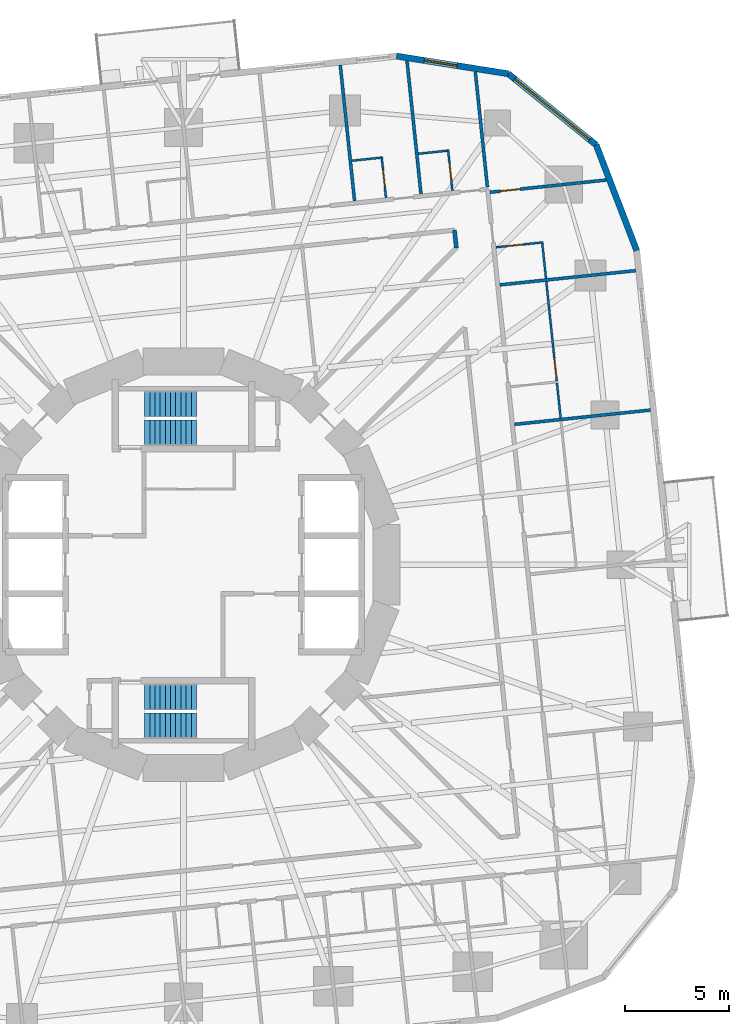
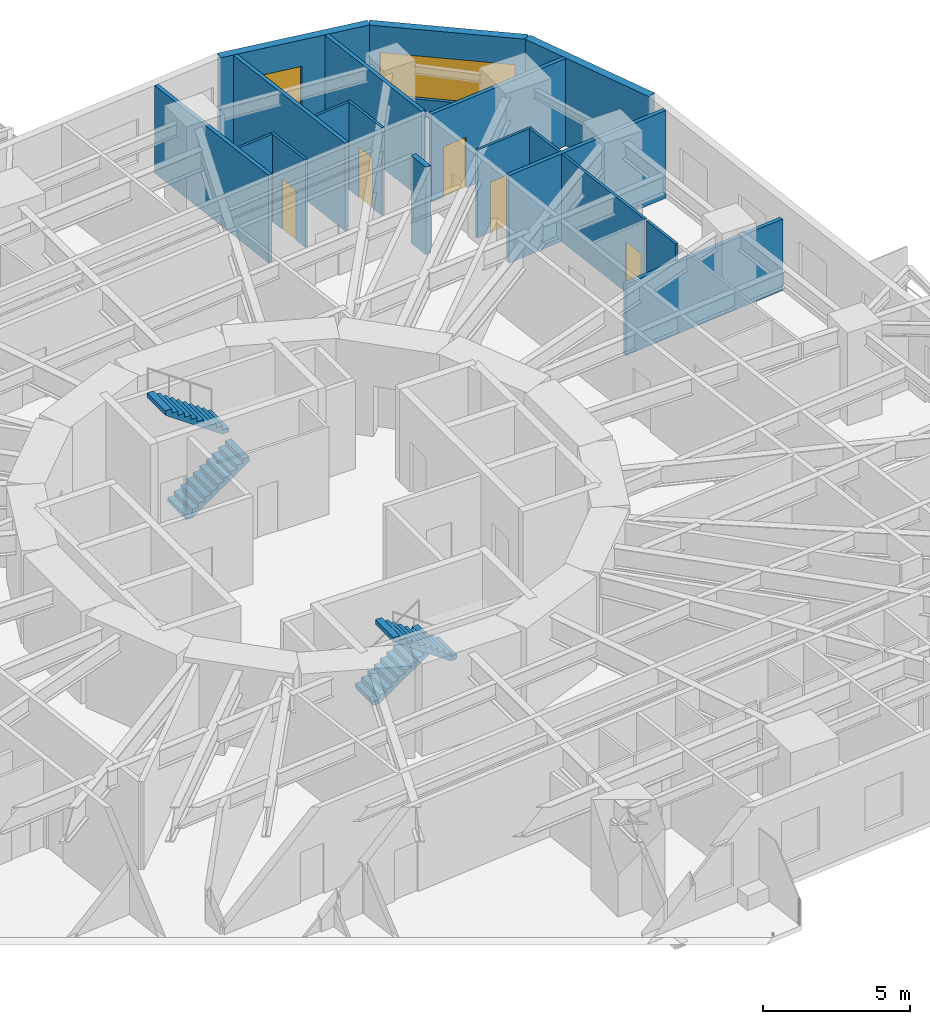
# One storey, part 11 of 13: 18 walls, 5 doors, 4 stair flights, 2 windows, 7 openings, 2 elements without a shape of their own.
"""IFC4 building model written with IfcOpenShell, lengths in metres."""

from ifc_helpers import new_model, si_unit, direction, frame, frame_2d, origin, place, context, subcontext, project, spatial, polyline, rectangle, outline, extrude, material, layer, layer_set, type_object, element, fill, aggregate, save


model = new_model("IFC4")

# Units and contexts
model_context = context("Model", 3, precision=1e-05, world=origin(), true_north=direction((0.0, 1.0)))
body_context = subcontext(model_context, "Body", "Model", "MODEL_VIEW")
ifc_project = project(units=[si_unit("LENGTHUNIT", "METRE"), si_unit("AREAUNIT", "SQUARE_METRE"), si_unit("VOLUMEUNIT", "CUBIC_METRE"), si_unit("PLANEANGLEUNIT", "RADIAN"), si_unit("MASSUNIT", "GRAM", prefix="KILO")], contexts=[model_context])

# Site, building, storey
site_placement = place(None, origin())
site = spatial("IfcSite", under=ifc_project, at=site_placement, CompositionType="ELEMENT")
building_placement = place(site_placement, origin())
building = spatial("IfcBuilding", under=site, at=building_placement, Name="Nakasero Lantern House", CompositionType="ELEMENT")
storey_placement = place(building_placement, frame((0.0, 0.0, 83.60009765625)))
storey = spatial("IfcBuildingStorey", under=building, at=storey_placement, Name="L20", CompositionType="ELEMENT", Elevation=83.60009765625)

# Walls
ifc_material_1 = material(Name="Blockwork", Category="masonry")
ifc_layer_1 = layer(ifc_material_1, 0.199951171875)
ifc_layer_set_1 = layer_set([ifc_layer_1], Name="Corridor wall 200")
wall_type_1 = type_object("IfcWallType", Name="Corridor wall 200", PredefinedType="PARTITIONING", material=ifc_layer_set_1)
wall_1_placement = place(storey_placement, frame((13.0830078125, 16.156005859375, 0.0), z_axis=(0.0, 0.0, 1.0), x_axis=(0.104303245505, -0.994545540927, 0.0)))
element("IfcWall", 1, at=wall_1_placement, inside=storey, type_object=wall_type_1, Name="Corridor wall L20 IW1-0R0", PredefinedType="PARTITIONING", context=body_context, shape_type="SweptSolid", body=[
    extrude(rectangle(XDim=0.865966796875, YDim=0.199951171875, at=frame_2d((0.43310546875, 0.0))), origin(), (0.0, 0.0, 1.0), 3.64990234375),
])
ifc_material_2 = material(Name="Blockwork", Category="masonry")
ifc_layer_2 = layer(ifc_material_2, 0.10009765625)
ifc_layer_set_2 = layer_set([ifc_layer_2], Name="En-suite wall 100")
wall_type_2 = type_object("IfcWallType", Name="En-suite wall 100", PredefinedType="PARTITIONING", material=ifc_layer_set_2)
wall_2_placement = place(storey_placement, frame((18.208984375, 7.087158203125, 0.0), z_axis=(0.0, 0.0, 1.0), x_axis=(-0.104550220202, 0.994519608382, 0.0)))
element("IfcWall", 2, at=wall_2_placement, inside=storey, type_object=wall_type_2, Name="En-suite wall L20 EE0-06", PredefinedType="PARTITIONING", context=body_context, shape_type="SweptSolid", body=[
    extrude(rectangle(XDim=1.699951171875, YDim=0.10009765625, at=frame_2d((0.85009765625, 0.0))), origin(), (0.0, 0.0, 1.0), 3.64990234375),
])

# Wall, opening, door
wall_3_placement = place(storey_placement, frame((15.08056640625, 15.326416015625, 0.0), z_axis=(0.0, 0.0, 1.0), x_axis=(0.994518822602, 0.104557694553, 0.0)))
wall_3 = element("IfcWall", 3, at=wall_3_placement, inside=storey, type_object=wall_type_2, Name="En-suite wall L20 ES0-08", PredefinedType="PARTITIONING", context=body_context, shape_type="SweptSolid", body=[
    extrude(rectangle(XDim=2.300048828125, YDim=0.10009765625, at=frame_2d((1.14990234375, 0.0))), origin(), (0.0, 0.0, 1.0), 3.64990234375),
])
opening_1_placement = place(wall_3_placement, frame((0.550048828125, 0.0, 0.0)))
opening_1 = element("IfcOpeningElement", 4, at=opening_1_placement, cuts=wall_3, Name="Opening D02", PredefinedType="OPENING", context=body_context, shape_type="SweptSolid", body=[
    extrude(rectangle(XDim=0.800048828125, YDim=2.10009765625, at=frame_2d((0.39990234375, 1.050048828125))), frame((0.0, 0.070068359375, 0.0), z_axis=(0.0, -1.0, 0.0), x_axis=(1.0, 0.0, 0.0)), (0.0, 0.0, 1.0), 0.14013671875),
])
ifc_material_3 = material(Name="Timber C24", Category="wood")
door_type_1 = type_object("IfcDoorType", Name="En-suite door 800", OperationType="SINGLE_SWING_RIGHT", PredefinedType="DOOR", material=ifc_material_3)
door_1_placement = place(opening_1_placement, origin())
door_1 = element("IfcDoor", 5, at=door_1_placement, inside=storey, type_object=door_type_1, Name="Door L20 DE0-08", OperationType="SINGLE_SWING_LEFT", OverallHeight=2.10009765625, OverallWidth=0.800048828125, PredefinedType="DOOR", context=body_context, shape_type="SweptSolid", body=[
    extrude(rectangle(XDim=0.800048828125, YDim=2.10009765625, at=frame_2d((0.39990234375, 1.050048828125))), frame((0.0, 0.02490234375, 0.0), z_axis=(0.0, -1.0, 0.0), x_axis=(1.0, 0.0, 0.0)), (0.0, 0.0, 1.0), 0.050048828125),
])
fill(opening_1, door_1)

# Wall
wall_4_placement = place(storey_placement, frame((17.501220703125, 13.8212890625, 0.0), z_axis=(0.0, 0.0, 1.0), x_axis=(-0.104550220202, 0.994519608382, 0.0)))
element("IfcWall", 6, at=wall_4_placement, inside=storey, type_object=wall_type_2, Name="En-suite wall L20 EE0-08", PredefinedType="PARTITIONING", context=body_context, shape_type="SweptSolid", body=[
    extrude(rectangle(XDim=1.699951171875, YDim=0.10009765625, at=frame_2d((0.85009765625, 0.0))), origin(), (0.0, 0.0, 1.0), 3.64990234375),
])

# Wall, opening, door
wall_5_placement = place(storey_placement, frame((12.9833984375, 18.05615234375, 0.0), z_axis=(0.0, 0.0, 1.0), x_axis=(-0.104494148666, 0.99452550138, 0.0)))
wall_5 = element("IfcWall", 7, at=wall_5_placement, inside=storey, type_object=wall_type_2, Name="En-suite wall L20 ES1-00", PredefinedType="PARTITIONING", context=body_context, shape_type="SweptSolid", body=[
    extrude(rectangle(XDim=2.0, YDim=0.10009765625, at=frame_2d((1.0, 0.0))), origin(), (0.0, 0.0, 1.0), 3.64990234375),
])
opening_2_placement = place(wall_5_placement, frame((0.550048828125, 0.0, 0.0)))
opening_2 = element("IfcOpeningElement", 8, at=opening_2_placement, cuts=wall_5, Name="Opening D02", PredefinedType="OPENING", context=body_context, shape_type="SweptSolid", body=[
    extrude(rectangle(XDim=0.800048828125, YDim=2.10009765625, at=frame_2d((0.39990234375, 1.050048828125))), frame((0.0, 0.070068359375, 0.0), z_axis=(0.0, -1.0, 0.0), x_axis=(1.0, 0.0, 0.0)), (0.0, 0.0, 1.0), 0.14013671875),
])
door_2_placement = place(opening_2_placement, origin())
door_2 = element("IfcDoor", 9, at=door_2_placement, inside=storey, type_object=door_type_1, Name="Door L20 DE1-00", OperationType="SINGLE_SWING_LEFT", OverallHeight=2.10009765625, OverallWidth=0.800048828125, PredefinedType="DOOR", context=body_context, shape_type="SweptSolid", body=[
    extrude(rectangle(XDim=0.800048828125, YDim=2.10009765625, at=frame_2d((0.39990234375, 1.050048828125))), frame((0.0, 0.02490234375, 0.0), z_axis=(0.0, -1.0, 0.0), x_axis=(1.0, 0.0, 0.0)), (0.0, 0.0, 1.0), 0.050048828125),
])
fill(opening_2, door_2)

# Wall
wall_6_placement = place(storey_placement, frame((12.72998046875, 19.990234375, 0.0), z_axis=(0.0, 0.0, 1.0), x_axis=(-0.994511184598, -0.104630319263, 0.0)))
element("IfcWall", 10, at=wall_6_placement, inside=storey, type_object=wall_type_2, Name="En-suite wall L20 EE1-00", PredefinedType="PARTITIONING", context=body_context, shape_type="SweptSolid", body=[
    extrude(rectangle(XDim=1.39990234375, YDim=0.10009765625, at=frame_2d((0.699951171875, 0.0))), origin(), (0.0, 0.0, 1.0), 3.64990234375),
])

# Wall, opening, door
wall_7_placement = place(storey_placement, frame((9.77587890625, 17.718994140625, 0.0), z_axis=(0.0, 0.0, 1.0), x_axis=(-0.104614886044, 0.994512808172, 0.0)))
wall_7 = element("IfcWall", 11, at=wall_7_placement, inside=storey, type_object=wall_type_2, Name="En-suite wall L20 ES1-01", PredefinedType="PARTITIONING", context=body_context, shape_type="SweptSolid", body=[
    extrude(rectangle(XDim=2.0, YDim=0.10009765625, at=frame_2d((1.0, 0.0))), origin(), (0.0, 0.0, 1.0), 3.64990234375),
])
opening_3_placement = place(wall_7_placement, frame((0.550048828125, 0.0, 0.0)))
opening_3 = element("IfcOpeningElement", 12, at=opening_3_placement, cuts=wall_7, Name="Opening D02", PredefinedType="OPENING", context=body_context, shape_type="SweptSolid", body=[
    extrude(rectangle(XDim=0.800048828125, YDim=2.10009765625, at=frame_2d((0.39990234375, 1.050048828125))), frame((0.0, 0.070068359375, 0.0), z_axis=(0.0, -1.0, 0.0), x_axis=(1.0, 0.0, 0.0)), (0.0, 0.0, 1.0), 0.14013671875),
])
door_3_placement = place(opening_3_placement, origin())
door_3 = element("IfcDoor", 13, at=door_3_placement, inside=storey, type_object=door_type_1, Name="Door L20 DE1-01", OperationType="SINGLE_SWING_LEFT", OverallHeight=2.10009765625, OverallWidth=0.800048828125, PredefinedType="DOOR", context=body_context, shape_type="SweptSolid", body=[
    extrude(rectangle(XDim=0.800048828125, YDim=2.10009765625, at=frame_2d((0.39990234375, 1.050048828125))), frame((0.0, 0.02490234375, 0.0), z_axis=(0.0, -1.0, 0.0), x_axis=(1.0, 0.0, 0.0)), (0.0, 0.0, 1.0), 0.050048828125),
])
fill(opening_3, door_3)

# Wall
wall_8_placement = place(storey_placement, frame((9.522216796875, 19.653076171875, 0.0), z_axis=(0.0, 0.0, 1.0), x_axis=(-0.994511184598, -0.104630319263, 0.0)))
element("IfcWall", 14, at=wall_8_placement, inside=storey, type_object=wall_type_2, Name="En-suite wall L20 EE1-01", PredefinedType="PARTITIONING", context=body_context, shape_type="SweptSolid", body=[
    extrude(rectangle(XDim=1.39990234375, YDim=0.10009765625, at=frame_2d((0.699951171875, 0.0))), origin(), (0.0, 0.0, 1.0), 3.64990234375),
])

# Wall, opening, door
wall_9_placement = place(storey_placement, frame((18.020751953125, 8.87744140625, 0.0), z_axis=(0.0, 0.0, 1.0), x_axis=(-0.104521347102, 0.994522643282, 0.0)))
wall_9 = element("IfcWall", 15, at=wall_9_placement, inside=storey, type_object=wall_type_2, Name="En-suite wall L20 EL0-06", PredefinedType="PARTITIONING", context=body_context, shape_type="SweptSolid", body=[
    extrude(rectangle(XDim=4.821044921875, YDim=0.10009765625, at=frame_2d((2.41064453125, 0.0))), origin(), (0.0, 0.0, 1.0), 3.64990234375),
])
opening_4_placement = place(wall_9_placement, frame((0.199951171875, 0.0, 0.0)))
opening_4 = element("IfcOpeningElement", 16, at=opening_4_placement, cuts=wall_9, Name="Opening D17", PredefinedType="OPENING", context=body_context, shape_type="SweptSolid", body=[
    extrude(rectangle(XDim=0.89990234375, YDim=2.10009765625, at=frame_2d((0.449951171875, 1.050048828125))), frame((0.0, 0.070068359375, 0.0), z_axis=(0.0, -1.0, 0.0), x_axis=(1.0, 0.0, 0.0)), (0.0, 0.0, 1.0), 0.14013671875),
])
ifc_material_4 = material(Name="Timber C24", Category="wood")
door_type_2 = type_object("IfcDoorType", Name="Bedroom door FD30S 900", OperationType="SINGLE_SWING_LEFT", PredefinedType="DOOR", material=ifc_material_4)
door_4_placement = place(opening_4_placement, origin())
door_4 = element("IfcDoor", 17, at=door_4_placement, inside=storey, type_object=door_type_2, Name="Door L20 DL0-06", OperationType="SINGLE_SWING_LEFT", OverallHeight=2.10009765625, OverallWidth=0.89990234375, PredefinedType="DOOR", context=body_context, shape_type="SweptSolid", body=[
    extrude(rectangle(XDim=0.89990234375, YDim=2.10009765625, at=frame_2d((0.449951171875, 1.050048828125))), frame((0.0, 0.02490234375, 0.0), z_axis=(0.0, -1.0, 0.0), x_axis=(1.0, 0.0, 0.0)), (0.0, 0.0, 1.0), 0.050048828125),
])
fill(opening_4, door_4)

# Wall
ifc_material_5 = material(Name="Aluminium rainscreen on blockwork", Category="masonry")
ifc_layer_3 = layer(ifc_material_5, 0.300048828125)
ifc_layer_set_3 = layer_set([ifc_layer_3], Name="Facade wall 300")
wall_type_3 = type_object("IfcWallType", Name="Facade wall 300", PredefinedType="SOLIDWALL", material=ifc_layer_set_3)
wall_10_placement = place(storey_placement, frame((21.884033203125, 15.170654296875, 0.0), z_axis=(0.0, 0.0, 1.0), x_axis=(-0.358358884793, 0.933583906079, 0.0)))
element("IfcWall", 18, at=wall_10_placement, inside=storey, type_object=wall_type_3, Name="Facade wall L20 FW0C1", PredefinedType="SOLIDWALL", context=body_context, shape_type="SweptSolid", body=[
    extrude(rectangle(XDim=5.461181640625, YDim=0.300048828125, at=frame_2d((2.73046875, 0.0))), origin(), (0.0, 0.0, 1.0), 3.64990234375),
])

# Wall, opening, window
wall_11_placement = place(storey_placement, frame((19.927001953125, 20.26904296875, 0.0), z_axis=(0.0, 0.0, 1.0), x_axis=(-0.777134500863, 0.629334543442, 0.0)))
wall_11 = element("IfcWall", 19, at=wall_11_placement, inside=storey, type_object=wall_type_3, Name="Facade wall L20 FW0C2", PredefinedType="SOLIDWALL", context=body_context, shape_type="SweptSolid", body=[
    extrude(rectangle(XDim=5.4609375, YDim=0.300048828125, at=frame_2d((2.73046875, 0.0))), origin(), (0.0, 0.0, 1.0), 3.64990234375),
])
opening_5_placement = place(wall_11_placement, frame((0.39990234375, 0.0, 0.75)))
opening_5 = element("IfcOpeningElement", 20, at=opening_5_placement, cuts=wall_11, Name="Opening W246", PredefinedType="OPENING", context=body_context, shape_type="SweptSolid", body=[
    extrude(rectangle(XDim=4.660888671875, YDim=1.800048828125, at=frame_2d((2.33056640625, 0.89990234375))), frame((0.0, 0.169921875, 0.0), z_axis=(0.0, -1.0, 0.0), x_axis=(1.0, 0.0, 0.0)), (0.0, 0.0, 1.0), 0.340087890625),
])
ifc_material_6 = material(Name="Aluminium 6063-T6 and glass", Category="aluminium")
window_type_1 = type_object("IfcWindowType", Name="Corner window 4661x1800", PartitioningType="SINGLE_PANEL", PredefinedType="WINDOW", material=ifc_material_6)
window_1_placement = place(opening_5_placement, origin())
window_1 = element("IfcWindow", 21, at=window_1_placement, inside=storey, type_object=window_type_1, Name="Window L20 WC0", OverallHeight=1.800048828125, OverallWidth=4.660888671875, PartitioningType="SINGLE_PANEL", PredefinedType="WINDOW", context=body_context, shape_type="SweptSolid", body=[
    extrude(rectangle(XDim=4.660888671875, YDim=1.800048828125, at=frame_2d((2.33056640625, 0.89990234375))), frame((0.0, 0.030029296875, 0.0), z_axis=(0.0, -1.0, 0.0), x_axis=(1.0, 0.0, 0.0)), (0.0, 0.0, 1.0), 0.06005859375),
])
fill(opening_5, window_1)

wall_12_placement = place(storey_placement, frame((15.68310546875, 23.705810546875, 0.0), z_axis=(0.0, 0.0, 1.0), x_axis=(-0.987690729142, 0.156419383601, 0.0)))
wall_12 = element("IfcWall", 22, at=wall_12_placement, inside=storey, type_object=wall_type_3, Name="Facade wall L20 FW0C3", PredefinedType="SOLIDWALL", context=body_context, shape_type="SweptSolid", body=[
    extrude(rectangle(XDim=5.461181640625, YDim=0.300048828125, at=frame_2d((2.73046875, 0.0))), origin(), (0.0, 0.0, 1.0), 3.64990234375),
])
opening_6_placement = place(wall_12_placement, frame((2.5, 0.0, 0.75)))
opening_6 = element("IfcOpeningElement", 23, at=opening_6_placement, cuts=wall_12, Name="Opening W01", PredefinedType="OPENING", context=body_context, shape_type="SweptSolid", body=[
    extrude(rectangle(XDim=1.60009765625, YDim=1.800048828125, at=frame_2d((0.800048828125, 0.89990234375))), frame((0.0, 0.169921875, 0.0), z_axis=(0.0, -1.0, 0.0), x_axis=(1.0, 0.0, 0.0)), (0.0, 0.0, 1.0), 0.340087890625),
])
ifc_material_7 = material(Name="Aluminium 6063-T6 and glass", Category="aluminium")
window_type_2 = type_object("IfcWindowType", Name="Bedroom window 1600x1800", PartitioningType="SINGLE_PANEL", PredefinedType="WINDOW", material=ifc_material_7)
window_2_placement = place(opening_6_placement, origin())
window_2 = element("IfcWindow", 24, at=window_2_placement, inside=storey, type_object=window_type_2, Name="Window L20 WN1-00", OverallHeight=1.800048828125, OverallWidth=1.60009765625, PartitioningType="SINGLE_PANEL", PredefinedType="WINDOW", context=body_context, shape_type="SweptSolid", body=[
    extrude(rectangle(XDim=1.60009765625, YDim=1.800048828125, at=frame_2d((0.800048828125, 0.89990234375))), frame((0.0, 0.030029296875, 0.0), z_axis=(0.0, -1.0, 0.0), x_axis=(1.0, 0.0, 0.0)), (0.0, 0.0, 1.0), 0.06005859375),
])
fill(opening_6, window_2)

# Walls
ifc_material_8 = material(Name="Blockwork", Category="masonry")
ifc_layer_4 = layer(ifc_material_8, 0.14990234375)
ifc_layer_set_4 = layer_set([ifc_layer_4], Name="Party wall 150")
wall_type_4 = type_object("IfcWallType", Name="Party wall 150", PredefinedType="PARTITIONING", material=ifc_layer_set_4)
wall_13_placement = place(storey_placement, frame((15.97900390625, 6.77734375, 0.0), z_axis=(0.0, 0.0, 1.0), x_axis=(0.994521251134, 0.104534592565, 0.0)))
element("IfcWall", 25, at=wall_13_placement, inside=storey, type_object=wall_type_4, Name="Party wall L20 PW0-06", PredefinedType="PARTITIONING", context=body_context, shape_type="SweptSolid", body=[
    extrude(rectangle(XDim=6.60009765625, YDim=0.14990234375, at=frame_2d((3.300048828125, 0.0))), origin(), (0.0, 0.0, 1.0), 2.96630859375),
])
wall_14_placement = place(storey_placement, frame((15.271240234375, 13.511474609375, 0.0), z_axis=(0.0, 0.0, 1.0), x_axis=(0.994521251134, 0.104534592565, 0.0)))
element("IfcWall", 26, at=wall_14_placement, inside=storey, type_object=wall_type_4, Name="Party wall L20 PW0-08", PredefinedType="PARTITIONING", context=body_context, shape_type="SweptSolid", body=[
    extrude(rectangle(XDim=6.60009765625, YDim=0.14990234375, at=frame_2d((3.300048828125, 0.0))), origin(), (0.0, 0.0, 1.0), 3.64990234375),
])

# Wall, opening, door
wall_15_placement = place(storey_placement, frame((14.801025390625, 17.9853515625, 0.0), z_axis=(0.0, 0.0, 1.0), x_axis=(0.994522751177, 0.104520320471, 0.0)))
wall_15 = element("IfcWall", 27, at=wall_15_placement, inside=storey, type_object=wall_type_4, Name="Party wall L20 PC0", PredefinedType="PARTITIONING", context=body_context, shape_type="SweptSolid", body=[
    extrude(rectangle(XDim=5.64111328125, YDim=0.14990234375, at=frame_2d((2.820556640625, 0.0))), origin(), (0.0, 0.0, 1.0), 3.64990234375),
])
opening_7_placement = place(wall_15_placement, frame((0.5, 0.0, 0.0)))
opening_7 = element("IfcOpeningElement", 28, at=opening_7_placement, cuts=wall_15, Name="Opening D01", PredefinedType="OPENING", context=body_context, shape_type="SweptSolid", body=[
    extrude(rectangle(XDim=0.949951171875, YDim=2.10009765625, at=frame_2d((0.47509765625, 1.050048828125))), frame((0.0, 0.094970703125, 0.0), z_axis=(0.0, -1.0, 0.0), x_axis=(1.0, 0.0, 0.0)), (0.0, 0.0, 1.0), 0.18994140625),
])
ifc_material_9 = material(Name="Timber C24", Category="wood")
door_type_3 = type_object("IfcDoorType", Name="Bedroom door FD30S 950", OperationType="SINGLE_SWING_LEFT", PredefinedType="DOOR", material=ifc_material_9)
door_5_placement = place(opening_7_placement, origin())
door_5 = element("IfcDoor", 29, at=door_5_placement, inside=storey, type_object=door_type_3, Name="Door L20 DC0", OperationType="SINGLE_SWING_LEFT", OverallHeight=2.10009765625, OverallWidth=0.949951171875, PredefinedType="DOOR", context=body_context, shape_type="SweptSolid", body=[
    extrude(rectangle(XDim=0.949951171875, YDim=2.10009765625, at=frame_2d((0.47509765625, 1.050048828125))), frame((0.0, 0.02490234375, 0.0), z_axis=(0.0, -1.0, 0.0), x_axis=(1.0, 0.0, 0.0)), (0.0, 0.0, 1.0), 0.050048828125),
])
fill(opening_7, door_5)

# Walls
wall_16_placement = place(storey_placement, frame((14.674560546875, 18.23388671875, 0.0), z_axis=(0.0, 0.0, 1.0), x_axis=(-0.104541754786, 0.994520498284, 0.0)))
element("IfcWall", 30, at=wall_16_placement, inside=storey, type_object=wall_type_4, Name="Party wall L20 PW1-00", PredefinedType="PARTITIONING", context=body_context, shape_type="SweptSolid", body=[
    extrude(rectangle(XDim=5.597900390625, YDim=0.14990234375, at=frame_2d((2.798828125, 0.0))), origin(), (0.0, 0.0, 1.0), 3.64990234375),
])
wall_17_placement = place(storey_placement, frame((11.466796875, 17.896728515625, 0.0), z_axis=(0.0, 0.0, 1.0), x_axis=(-0.10453728607, 0.994520968015, 0.0)))
element("IfcWall", 31, at=wall_17_placement, inside=storey, type_object=wall_type_4, Name="Party wall L20 PW1-01", PredefinedType="PARTITIONING", context=body_context, shape_type="SweptSolid", body=[
    extrude(rectangle(XDim=6.462158203125, YDim=0.14990234375, at=frame_2d((3.23095703125, 0.0))), origin(), (0.0, 0.0, 1.0), 3.64990234375),
])
wall_18_placement = place(storey_placement, frame((8.25927734375, 17.5595703125, 0.0), z_axis=(0.0, 0.0, 1.0), x_axis=(-0.104538438287, 0.994520846901, 0.0)))
element("IfcWall", 32, at=wall_18_placement, inside=storey, type_object=wall_type_4, Name="Party wall L20 PW1-02", PredefinedType="PARTITIONING", context=body_context, shape_type="SweptSolid", body=[
    extrude(rectangle(XDim=6.599853515625, YDim=0.14990234375, at=frame_2d((3.2998046875, 0.0))), origin(), (0.0, 0.0, 1.0), 3.64990234375),
])

# Stair, stair flights
ifc_material_10 = material(Name="Concrete C40/50", Category="concrete")
stair_type_1 = type_object("IfcStairType", Name="Escape stair ST1 22 risers", PredefinedType="HALF_TURN_STAIR", material=ifc_material_10)
stair_1_placement = place(storey_placement, origin())
stair_1 = element("IfcStair", 33, at=stair_1_placement, inside=storey, type_object=stair_type_1, Name="Escape stair ST1 L20", PredefinedType="HALF_TURN_STAIR")
ifc_material_11 = material(Name="Concrete C40/50", Category="concrete")
stair_flight_type = type_object("IfcStairFlightType", Name="Escape stair flight", PredefinedType="STRAIGHT", material=ifc_material_11)
stair_flight_1_placement = place(storey_placement, frame((-1.875, 6.375, 0.0), z_axis=(0.0, 0.0, 1.0), x_axis=(1.0, 0.0, 0.0)))
stair_flight_1 = element("IfcStairFlight", 34, at=stair_flight_1_placement, type_object=stair_flight_type, Name="ST1 flight 1", NumberOfRisers=11, NumberOfTreads=10, PredefinedType="STRAIGHT", RiserHeight=0.175, TreadLength=0.25, context=body_context, shape_type="SweptSolid", body=[
    extrude(outline(polyline([(0.0, 0.0), (0.0, 0.175048828125), (0.25, 0.175048828125), (0.25, 0.35009765625), (0.5, 0.35009765625), (0.5, 0.52490234375), (0.75, 0.52490234375), (0.75, 0.699951171875), (1.0, 0.699951171875), (1.0, 0.875), (1.25, 0.875), (1.25, 1.050048828125), (1.5, 1.050048828125), (1.5, 1.22509765625), (1.75, 1.22509765625), (1.75, 1.39990234375), (2.0, 1.39990234375), (2.0, 1.574951171875), (2.25, 1.574951171875), (2.25, 1.75), (2.5, 1.75), (2.5, 1.925048828125), (2.5, 1.567138671875), (0.261474609375, 0.0), (0.0, 0.0)])), frame((0.0, 0.625, 0.0), z_axis=(0.0, -1.0, 0.0), x_axis=(1.0, 0.0, 0.0)), (0.0, 0.0, 1.0), 1.25),
])
stair_flight_2_placement = place(storey_placement, frame((0.625, 7.77490234375, 1.9248046875), z_axis=(0.0, 0.0, 1.0), x_axis=(-1.0, 0.0, 0.0)))
stair_flight_2 = element("IfcStairFlight", 35, at=stair_flight_2_placement, type_object=stair_flight_type, Name="ST1 flight 2", NumberOfRisers=11, NumberOfTreads=10, PredefinedType="STRAIGHT", RiserHeight=0.175, TreadLength=0.25, context=body_context, shape_type="SweptSolid", body=[
    extrude(outline(polyline([(0.0, 0.0), (0.0, 0.175048828125), (0.25, 0.175048828125), (0.25, 0.35009765625), (0.5, 0.35009765625), (0.5, 0.52490234375), (0.75, 0.52490234375), (0.75, 0.699951171875), (1.0, 0.699951171875), (1.0, 0.875), (1.25, 0.875), (1.25, 1.050048828125), (1.5, 1.050048828125), (1.5, 1.22509765625), (1.75, 1.22509765625), (1.75, 1.39990234375), (2.0, 1.39990234375), (2.0, 1.574951171875), (2.25, 1.574951171875), (2.25, 1.75), (2.5, 1.75), (2.5, 1.925048828125), (2.5, 1.567138671875), (0.261474609375, 0.0), (0.0, 0.0)])), frame((0.0, 0.625, 0.0), z_axis=(0.0, -1.0, 0.0), x_axis=(1.0, 0.0, 0.0)), (0.0, 0.0, 1.0), 1.25),
])
aggregate(stair_1, [stair_flight_1, stair_flight_2])

ifc_material_12 = material(Name="Concrete C40/50", Category="concrete")
stair_type_2 = type_object("IfcStairType", Name="Escape stair ST2 22 risers", PredefinedType="HALF_TURN_STAIR", material=ifc_material_12)
stair_2_placement = place(storey_placement, origin())
stair_2 = element("IfcStair", 36, at=stair_2_placement, inside=storey, type_object=stair_type_2, Name="Escape stair ST2 L20", PredefinedType="HALF_TURN_STAIR")
stair_flight_3_placement = place(storey_placement, frame((-1.875, -6.375, 0.0), z_axis=(0.0, 0.0, 1.0), x_axis=(1.0, 0.0, 0.0)))
stair_flight_3 = element("IfcStairFlight", 37, at=stair_flight_3_placement, type_object=stair_flight_type, Name="ST2 flight 1", NumberOfRisers=11, NumberOfTreads=10, PredefinedType="STRAIGHT", RiserHeight=0.175, TreadLength=0.25, context=body_context, shape_type="SweptSolid", body=[
    extrude(outline(polyline([(0.0, 0.0), (0.0, 0.175048828125), (0.25, 0.175048828125), (0.25, 0.35009765625), (0.5, 0.35009765625), (0.5, 0.52490234375), (0.75, 0.52490234375), (0.75, 0.699951171875), (1.0, 0.699951171875), (1.0, 0.875), (1.25, 0.875), (1.25, 1.050048828125), (1.5, 1.050048828125), (1.5, 1.22509765625), (1.75, 1.22509765625), (1.75, 1.39990234375), (2.0, 1.39990234375), (2.0, 1.574951171875), (2.25, 1.574951171875), (2.25, 1.75), (2.5, 1.75), (2.5, 1.925048828125), (2.5, 1.567138671875), (0.261474609375, 0.0), (0.0, 0.0)])), frame((0.0, 0.625, 0.0), z_axis=(0.0, -1.0, 0.0), x_axis=(1.0, 0.0, 0.0)), (0.0, 0.0, 1.0), 1.25),
])
stair_flight_4_placement = place(storey_placement, frame((0.625, -7.77490234375, 1.9248046875), z_axis=(0.0, 0.0, 1.0), x_axis=(-1.0, 0.0, 0.0)))
stair_flight_4 = element("IfcStairFlight", 38, at=stair_flight_4_placement, type_object=stair_flight_type, Name="ST2 flight 2", NumberOfRisers=11, NumberOfTreads=10, PredefinedType="STRAIGHT", RiserHeight=0.175, TreadLength=0.25, context=body_context, shape_type="SweptSolid", body=[
    extrude(outline(polyline([(0.0, 0.0), (0.0, 0.175048828125), (0.25, 0.175048828125), (0.25, 0.35009765625), (0.5, 0.35009765625), (0.5, 0.52490234375), (0.75, 0.52490234375), (0.75, 0.699951171875), (1.0, 0.699951171875), (1.0, 0.875), (1.25, 0.875), (1.25, 1.050048828125), (1.5, 1.050048828125), (1.5, 1.22509765625), (1.75, 1.22509765625), (1.75, 1.39990234375), (2.0, 1.39990234375), (2.0, 1.574951171875), (2.25, 1.574951171875), (2.25, 1.75), (2.5, 1.75), (2.5, 1.925048828125), (2.5, 1.567138671875), (0.261474609375, 0.0), (0.0, 0.0)])), frame((0.0, 0.625, 0.0), z_axis=(0.0, -1.0, 0.0), x_axis=(1.0, 0.0, 0.0)), (0.0, 0.0, 1.0), 1.25),
])
aggregate(stair_2, [stair_flight_3, stair_flight_4])

save(model, "model.ifc")
